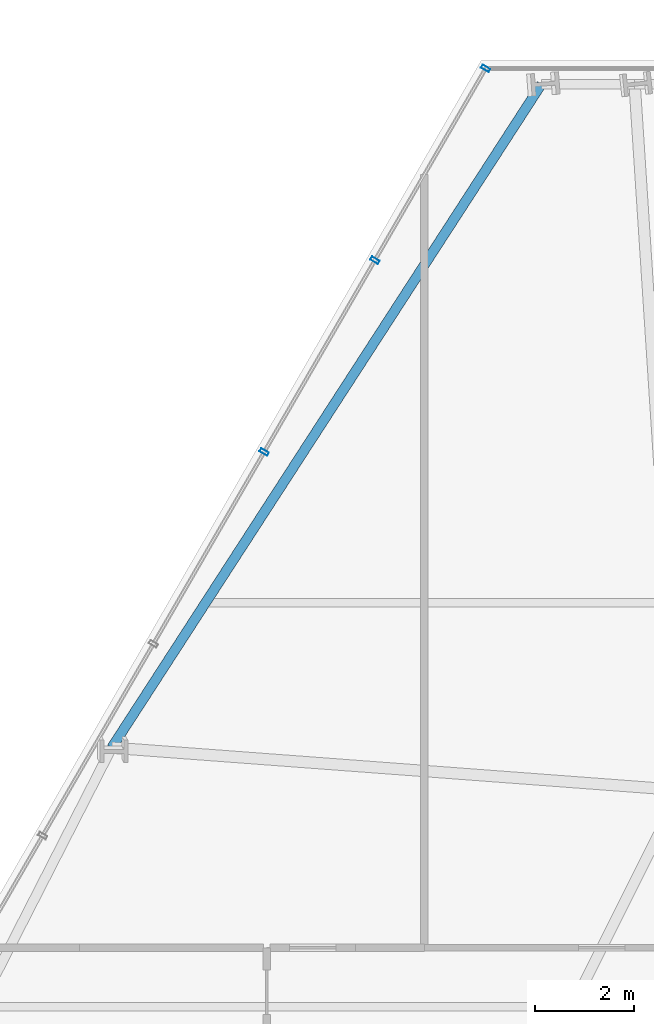
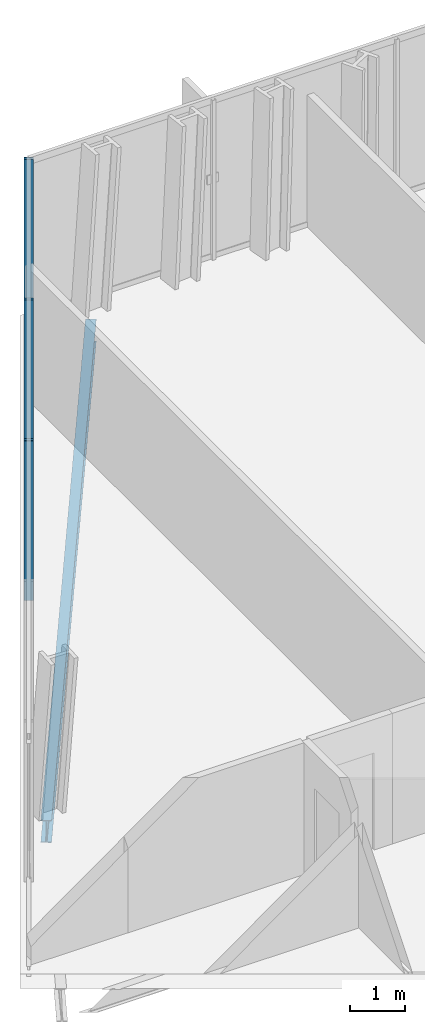
# One storey, part 21 of 32: 3 members, 1 beam, 1 element without a shape of its own.
"""IFC4 building model written with IfcOpenShell, lengths in metres."""

from ifc_helpers import new_model, si_unit, direction, frame, origin, origin_2d, place, context, subcontext, project, spatial, hollow_rectangle, i_section, extrude, material, layer, layer_set, material_profile, profile_set, type_object, element, aggregate, save


model = new_model("IFC4")

# Units and contexts
model_context = context("Model", 3, precision=1e-05, world=origin(), true_north=direction((0.0, 1.0)))
body_context = subcontext(model_context, "Body", "Model", "MODEL_VIEW")
ifc_project = project(units=[si_unit("LENGTHUNIT", "METRE"), si_unit("AREAUNIT", "SQUARE_METRE"), si_unit("VOLUMEUNIT", "CUBIC_METRE"), si_unit("PLANEANGLEUNIT", "RADIAN"), si_unit("MASSUNIT", "GRAM", prefix="KILO")], contexts=[model_context])

# Site, building, storey
site_placement = place(None, origin())
site = spatial("IfcSite", under=ifc_project, at=site_placement, CompositionType="ELEMENT")
building_placement = place(site_placement, origin())
building = spatial("IfcBuilding", under=site, at=building_placement, Name="Ndaravel Arena Tower", CompositionType="ELEMENT")
storey_placement = place(building_placement, frame((0.0, 0.0, 66.39990234375)))
storey = spatial("IfcBuildingStorey", under=building, at=storey_placement, Name="L14", CompositionType="ELEMENT", Elevation=66.39990234375)

# Beam
ifc_material_1 = material(Name="Steel S355", Category="steel")
ifc_material_profile_1 = material_profile(ifc_material_1, i_section(OverallWidth=0.199951171875, OverallDepth=0.5, WebThickness=0.01025390625, FlangeThickness=0.01611328125, FilletRadius=0.02099609375, at=origin_2d()), Name="IPE 500")
ifc_profile_set_1 = profile_set([ifc_material_profile_1], Name="Steel S355")
beam_type = type_object("IfcBeamType", Name="BM-SPAN-IPE500", PredefinedType="SPANDREL", material=ifc_profile_set_1)
beam_placement = place(storey_placement, frame((35.375, 45.52783203125, -0.469970703125), z_axis=(-0.543579319439, -0.839357804204, 0.0), x_axis=(0.839357804204, -0.543579319439, 0.0)))
element("IfcBeam", 1, at=beam_placement, inside=storey, type_object=beam_type, Name="L14 Perimeter Spandrel Beam SP-18", PredefinedType="SPANDREL", context=body_context, shape_type="SweptSolid", body=[
    extrude(i_section(OverallWidth=0.199951171875, OverallDepth=0.5, WebThickness=0.01025390625, FlangeThickness=0.01611328125, FilletRadius=0.02099609375, at=origin_2d()), origin(), (0.0, 0.0, 1.0), 16.04443359375),
])

# Curtain wall, members
ifc_material_2 = material(Name="Aluminium", Category="aluminium")
ifc_layer = layer(ifc_material_2, 0.179931640625)
ifc_layer_set = layer_set([ifc_layer], Name="Aluminium")
curtain_wall_type = type_object("IfcCurtainWallType", Name="CW-SYS-03", PredefinedType="NOTDEFINED", material=ifc_layer_set)
curtain_wall_placement = place(storey_placement, origin())
curtain_wall = element("IfcCurtainWall", 2, at=curtain_wall_placement, inside=storey, type_object=curtain_wall_type, Name="L14 Faceted Crystal Curtain Wall CW-L14-E05", PredefinedType="NOTDEFINED")
ifc_material_3 = material(Name="Aluminium", Category="aluminium")
ifc_material_profile_2 = material_profile(ifc_material_3, hollow_rectangle(XDim=0.074951171875, YDim=0.179931640625, WallThickness=0.00390625, at=origin_2d()), Name="CW MULLION 75x180x4")
ifc_profile_set_2 = profile_set([ifc_material_profile_2], Name="Aluminium")
member_type = type_object("IfcMemberType", Name="MEM-CW-MUL180", PredefinedType="MULLION", material=ifc_profile_set_2)
member_1_placement = place(storey_placement, frame((34.243896484375, 45.847900390625, 0.0), z_axis=(0.0, 0.0, 1.0), x_axis=(-0.5, -0.866025403784, 0.0)))
member_1 = element("IfcMember", 3, at=member_1_placement, type_object=member_type, Name="CW-L14-E05 Mullion 00", PredefinedType="MULLION", context=body_context, shape_type="SweptSolid", body=[
    extrude(hollow_rectangle(XDim=0.074951171875, YDim=0.179931640625, WallThickness=0.00390625, at=origin_2d()), origin(), (0.0, 0.0, 1.0), 3.580078125),
])
member_2_placement = place(storey_placement, frame((31.99609375, 41.95458984375, 0.0), z_axis=(0.0, 0.0, 1.0), x_axis=(-0.5, -0.866025403784, 0.0)))
member_2 = element("IfcMember", 4, at=member_2_placement, type_object=member_type, Name="CW-L14-E05 Mullion 01", PredefinedType="MULLION", context=body_context, shape_type="SweptSolid", body=[
    extrude(hollow_rectangle(XDim=0.074951171875, YDim=0.179931640625, WallThickness=0.00390625, at=origin_2d()), origin(), (0.0, 0.0, 1.0), 3.580078125),
])
member_3_placement = place(storey_placement, frame((29.748291015625, 38.06103515625, 0.0), z_axis=(0.0, 0.0, 1.0), x_axis=(-0.5, -0.866025403784, 0.0)))
member_3 = element("IfcMember", 5, at=member_3_placement, type_object=member_type, Name="CW-L14-E05 Mullion 02", PredefinedType="MULLION", context=body_context, shape_type="SweptSolid", body=[
    extrude(hollow_rectangle(XDim=0.074951171875, YDim=0.179931640625, WallThickness=0.00390625, at=origin_2d()), origin(), (0.0, 0.0, 1.0), 3.580078125),
])
aggregate(curtain_wall, [member_1, member_2, member_3])

save(model, "model.ifc")
